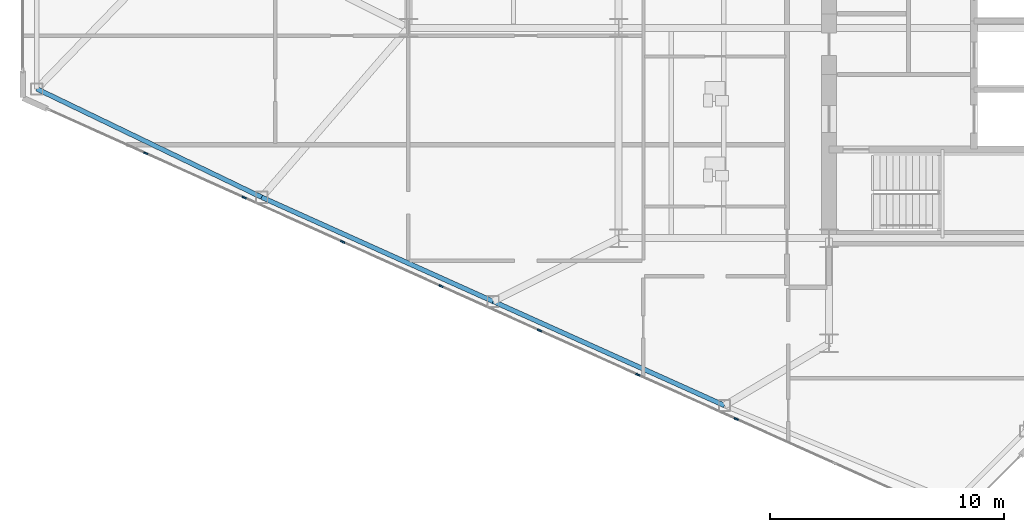
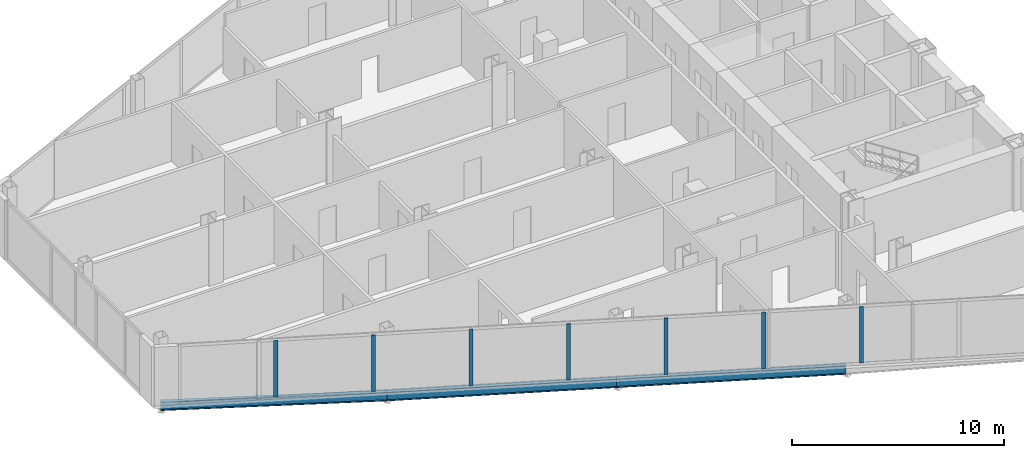
# One storey, part 3 of 27: 7 members, 3 beams, 1 element without a shape of its own.
"""IFC4 building model written with IfcOpenShell, lengths in metres."""

from ifc_helpers import new_model, si_unit, direction, frame, origin, origin_2d, place, context, subcontext, project, spatial, rectangle, i_section, extrude, source, transform, mapped, material, layer, layer_set, material_profile, profile_set, type_object, type_shapes, element, aggregate, save


model = new_model("IFC4")

# Units and contexts
model_context = context("Model", 3, precision=1e-05, world=origin(), true_north=direction((0.0, 1.0)))
body_context = subcontext(model_context, "Body", "Model", "MODEL_VIEW")
ifc_project = project(units=[si_unit("LENGTHUNIT", "METRE"), si_unit("AREAUNIT", "SQUARE_METRE"), si_unit("VOLUMEUNIT", "CUBIC_METRE"), si_unit("PLANEANGLEUNIT", "RADIAN"), si_unit("MASSUNIT", "GRAM", prefix="KILO")], contexts=[model_context])

# Site, building, storey
site_placement = place(None, origin())
site = spatial("IfcSite", under=ifc_project, at=site_placement, CompositionType="ELEMENT")
building_placement = place(site_placement, origin())
building = spatial("IfcBuilding", under=site, at=building_placement, Name="Seokmaru Belvedere", CompositionType="ELEMENT")
storey_placement = place(building_placement, frame((0.0, 0.0, 69.300048828125)))
storey = spatial("IfcBuildingStorey", under=building, at=storey_placement, Name="L18", CompositionType="ELEMENT", Elevation=69.300048828125)

# Beams
ifc_material_1 = material(Name="Steel SM355 (355 MPa)", Category="steel")
ifc_material_profile_1 = material_profile(ifc_material_1, i_section(OverallWidth=0.199951171875, OverallDepth=0.5, WebThickness=0.010009765625, FlangeThickness=0.01611328125, at=origin_2d()), Name="H-500x200x10x16")
ifc_profile_set_1 = profile_set([ifc_material_profile_1], Name="Steel SM355 (355 MPa)")
beam_type = type_object("IfcBeamType", Name="Perimeter Spandrel Beam H-500", PredefinedType="SPANDREL", material=ifc_profile_set_1)
shared_shape_1 = source(origin(), body_context, "Body", "SweptSolid", [
    extrude(i_section(OverallWidth=0.199951171875, OverallDepth=0.5, WebThickness=0.010009765625, FlangeThickness=0.01611328125, at=origin_2d()), origin(), (0.0, 0.0, 1.0), 10.85888671875),
])
for number, where, z_axis, x_axis, name in (
    (1, (-40.97265625, -20.661376953125, -0.469970703125), (-0.911921505175, 0.410364677329, 0.0), (-0.410364677329, -0.911921505175, 0.0), "L18 W Faceted Flank Spandrel S-2"),
    (2, (-50.875, -16.205322265625, -0.469970703125), (-0.911925291223, 0.410356263785, 0.0), (-0.410356263785, -0.911925291223, 0.0), "L18 W Faceted Flank Spandrel S-3"),
):
    element("IfcBeam", number, at=place(storey_placement, frame(where, z_axis=z_axis, x_axis=x_axis)), inside=storey, type_object=beam_type, Name=name, PredefinedType="SPANDREL", context=body_context, shape_type="MappedRepresentation", body=[
        mapped(shared_shape_1, transform((0.0, 0.0, 0.0), scale=1.0)),
    ])
shared_shape_2 = source(origin(), body_context, "Body", "SweptSolid", [
    extrude(i_section(OverallWidth=0.199951171875, OverallDepth=0.5, WebThickness=0.010009765625, FlangeThickness=0.01611328125, at=origin_2d()), origin(), (0.0, 0.0, 1.0), 10.681396484375),
])
type_shapes(beam_type, [shared_shape_1, shared_shape_2])
beam_placement = place(storey_placement, frame((-60.777587890625, -11.749267578125, -0.469970703125), z_axis=(-0.900846426616, 0.434137899352, 0.0), x_axis=(-0.434137899352, -0.900846426616, 0.0)))
element("IfcBeam", 3, at=beam_placement, inside=storey, type_object=beam_type, Name="L18 W Faceted Flank Spandrel S-4", PredefinedType="SPANDREL", context=body_context, shape_type="MappedRepresentation", body=[
    mapped(shared_shape_2, transform((0.0, 0.0, 0.0), scale=1.0)),
])

# Curtain wall, members
ifc_material_2 = material(Name="Bronze Triple Insulating Glass", Category="glass")
ifc_layer = layer(ifc_material_2, 0.195068359375)
ifc_layer_set = layer_set([ifc_layer], Name="Bronze Triple Insulating Glass")
curtain_wall_type = type_object("IfcCurtainWallType", Name="Lower-Mid Tapered Curtain Wall System CW-3", PredefinedType="NOTDEFINED", material=ifc_layer_set)
curtain_wall_placement = place(storey_placement, origin())
curtain_wall = element("IfcCurtainWall", 4, at=curtain_wall_placement, inside=storey, type_object=curtain_wall_type, Name="L18 Curtain Wall WF5", PredefinedType="NOTDEFINED")
ifc_material_3 = material(Name="Anodised Bronze Aluminium", Category="aluminium")
ifc_material_profile_2 = material_profile(ifc_material_3, rectangle(XDim=0.070068359375, YDim=0.195068359375, at=origin_2d()), Name="CW-M-70x195")
ifc_profile_set_2 = profile_set([ifc_material_profile_2], Name="Anodised Bronze Aluminium")
member_type = type_object("IfcMemberType", Name="Bronze Unitised Mullion 70x195", PredefinedType="MULLION", material=ifc_profile_set_2)
shared_shape_3 = source(origin(), body_context, "Body", "SweptSolid", [
    extrude(rectangle(XDim=0.070068359375, YDim=0.195068359375, at=origin_2d()), origin(), (0.0, 0.0, 1.0), 3.239990234375),
])
type_shapes(member_type, [shared_shape_3])
member_1_placement = place(storey_placement, frame((-65.739990234375, -9.866943359375, 0.070068359375), z_axis=(0.0, 0.0, 1.0), x_axis=(0.41036554765, 0.91192111353, 0.0)))
member_1 = element("IfcMember", 5, at=member_1_placement, type_object=member_type, Name="CW:L18:WF5 Mullion 2", PredefinedType="MULLION", context=body_context, shape_type="MappedRepresentation", body=[
    mapped(shared_shape_3, transform((0.0, 0.0, 0.0), scale=1.0)),
])
member_2_placement = place(storey_placement, frame((-61.528564453125, -11.76220703125, 0.070068359375), z_axis=(0.0, 0.0, 1.0), x_axis=(0.41036554765, 0.91192111353, 0.0)))
member_2 = element("IfcMember", 6, at=member_2_placement, type_object=member_type, Name="CW:L18:WF5 Mullion 3", PredefinedType="MULLION", context=body_context, shape_type="MappedRepresentation", body=[
    mapped(shared_shape_3, transform((0.0, 0.0, 0.0), scale=1.0)),
])
member_3_placement = place(storey_placement, frame((-57.317138671875, -13.6572265625, 0.070068359375), z_axis=(0.0, 0.0, 1.0), x_axis=(0.41036554765, 0.91192111353, 0.0)))
member_3 = element("IfcMember", 7, at=member_3_placement, type_object=member_type, Name="CW:L18:WF5 Mullion 4", PredefinedType="MULLION", context=body_context, shape_type="MappedRepresentation", body=[
    mapped(shared_shape_3, transform((0.0, 0.0, 0.0), scale=1.0)),
])
member_4_placement = place(storey_placement, frame((-53.105712890625, -15.552490234375, 0.070068359375), z_axis=(0.0, 0.0, 1.0), x_axis=(0.41036554765, 0.91192111353, 0.0)))
member_4 = element("IfcMember", 8, at=member_4_placement, type_object=member_type, Name="CW:L18:WF5 Mullion 5", PredefinedType="MULLION", context=body_context, shape_type="MappedRepresentation", body=[
    mapped(shared_shape_3, transform((0.0, 0.0, 0.0), scale=1.0)),
])
member_5_placement = place(storey_placement, frame((-48.894287109375, -17.447509765625, 0.070068359375), z_axis=(0.0, 0.0, 1.0), x_axis=(0.41036554765, 0.91192111353, 0.0)))
member_5 = element("IfcMember", 9, at=member_5_placement, type_object=member_type, Name="CW:L18:WF5 Mullion 6", PredefinedType="MULLION", context=body_context, shape_type="MappedRepresentation", body=[
    mapped(shared_shape_3, transform((0.0, 0.0, 0.0), scale=1.0)),
])
member_6_placement = place(storey_placement, frame((-44.682861328125, -19.3427734375, 0.070068359375), z_axis=(0.0, 0.0, 1.0), x_axis=(0.41036554765, 0.91192111353, 0.0)))
member_6 = element("IfcMember", 10, at=member_6_placement, type_object=member_type, Name="CW:L18:WF5 Mullion 7", PredefinedType="MULLION", context=body_context, shape_type="MappedRepresentation", body=[
    mapped(shared_shape_3, transform((0.0, 0.0, 0.0), scale=1.0)),
])
member_7_placement = place(storey_placement, frame((-40.471435546875, -21.23779296875, 0.070068359375), z_axis=(0.0, 0.0, 1.0), x_axis=(0.41036554765, 0.91192111353, 0.0)))
member_7 = element("IfcMember", 11, at=member_7_placement, type_object=member_type, Name="CW:L18:WF5 Mullion 8", PredefinedType="MULLION", context=body_context, shape_type="MappedRepresentation", body=[
    mapped(shared_shape_3, transform((0.0, 0.0, 0.0), scale=1.0)),
])
aggregate(curtain_wall, [member_1, member_2, member_3, member_4, member_5, member_6, member_7])

save(model, "model.ifc")
